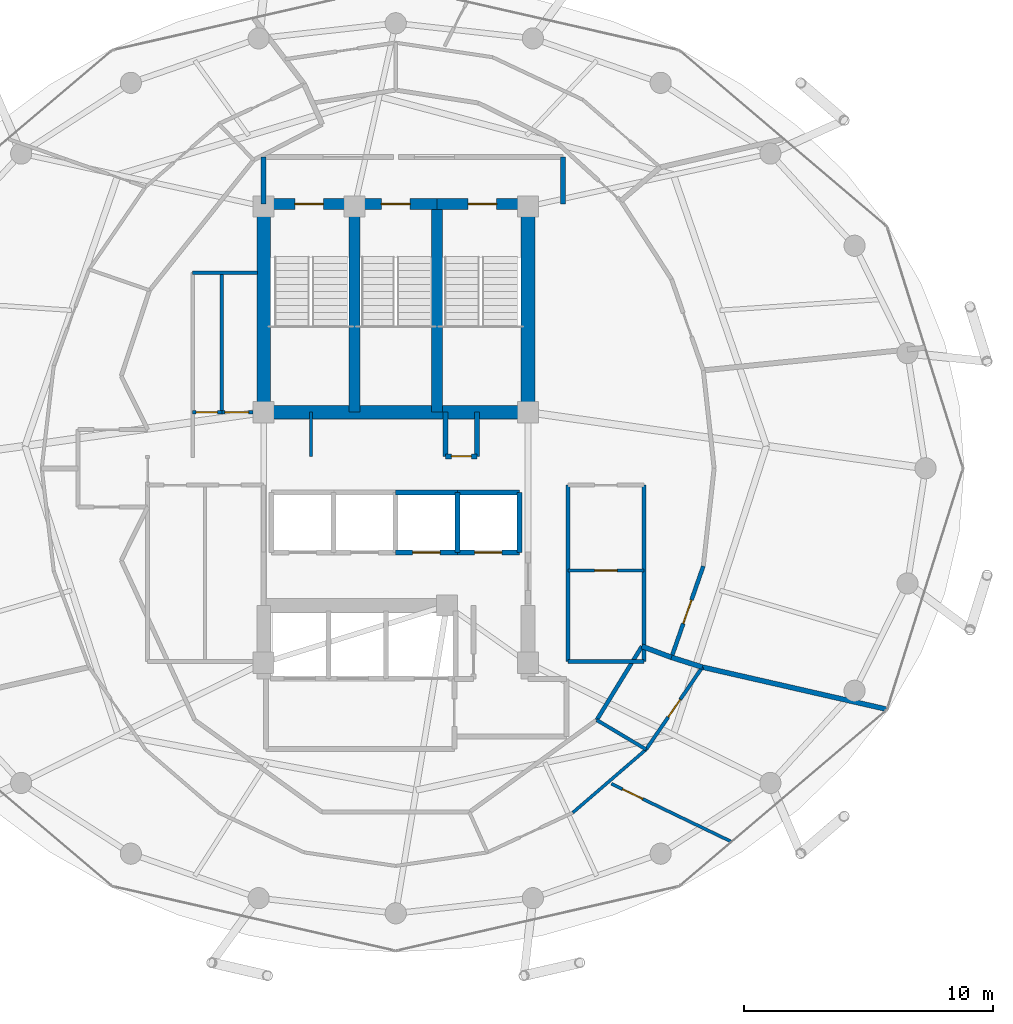
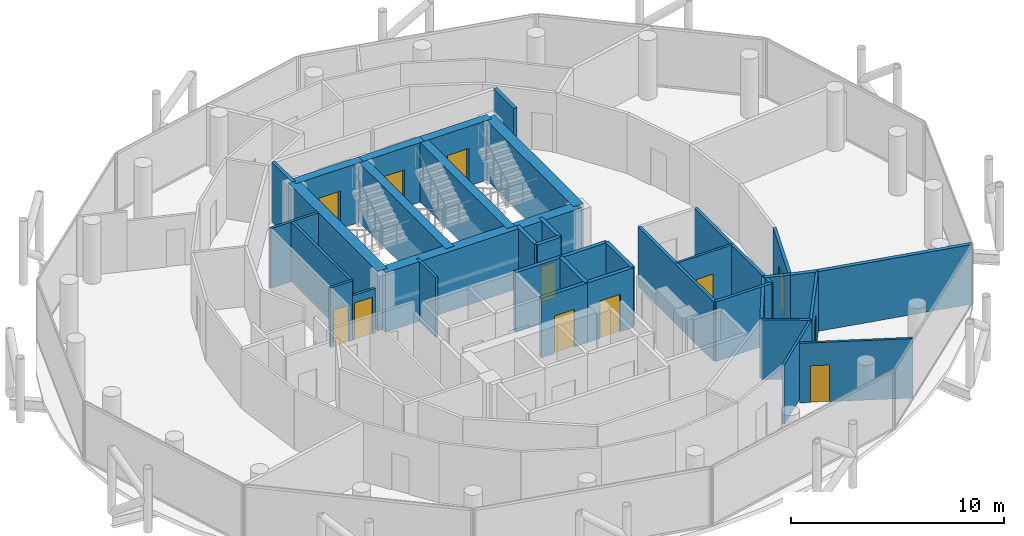
# One storey, part 24 of 27: 37 walls, 12 doors, 12 openings.
"""IFC4 building model written with IfcOpenShell, lengths in metres."""

from ifc_helpers import new_model, si_unit, direction, frame, frame_2d, origin, place, context, subcontext, project, spatial, rectangle, extrude, material, layer, layer_set, type_object, element, fill, save


model = new_model("IFC4")

# Units and contexts
model_context = context("Model", 3, precision=1e-05, world=origin(), true_north=direction((0.0, 1.0)))
body_context = subcontext(model_context, "Body", "Model", "MODEL_VIEW")
ifc_project = project(units=[si_unit("LENGTHUNIT", "METRE"), si_unit("AREAUNIT", "SQUARE_METRE"), si_unit("VOLUMEUNIT", "CUBIC_METRE"), si_unit("PLANEANGLEUNIT", "RADIAN"), si_unit("MASSUNIT", "GRAM", prefix="KILO")], contexts=[model_context])

# Site, building, storey
site_placement = place(None, origin())
site = spatial("IfcSite", under=ifc_project, at=site_placement, CompositionType="ELEMENT")
building_placement = place(site_placement, origin())
building = spatial("IfcBuilding", under=site, at=building_placement, Name="Nuhasar Tower", CompositionType="ELEMENT")
storey_placement = place(building_placement, frame((0.0, 0.0, 211.800048828125)))
storey = spatial("IfcBuildingStorey", under=building, at=storey_placement, Name="L51", CompositionType="ELEMENT", Elevation=211.800048828125)

# Wall, opening, door
ifc_material_1 = material(Name="Concrete C50/60", Category="concrete")
ifc_layer_1 = layer(ifc_material_1, 0.449951171875)
ifc_layer_set_1 = layer_set([ifc_layer_1], Name="Concrete C50/60")
wall_type_1 = type_object("IfcWallType", Name="WL-CORE-450", PredefinedType="SHEAR", material=ifc_layer_set_1)
wall_1_placement = place(storey_placement, frame((37.35009765625, 37.39990234375, 0.0), z_axis=(0.0, 0.0, 1.0), x_axis=(-1.0, 0.0, 0.0)))
wall_1 = element("IfcWall", 1, at=wall_1_placement, inside=storey, type_object=wall_type_1, Name="L51 Stairwell Shear Wall ST01-N", PredefinedType="SHEAR", context=body_context, shape_type="SweptSolid", body=[
    extrude(rectangle(XDim=3.650146484375, YDim=0.449951171875, at=frame_2d((1.8251953125, 0.0))), origin(), (0.0, 0.0, 1.0), 3.409912109375),
])
opening_1_placement = place(wall_1_placement, frame((1.25, 0.0, 0.0)))
opening_1 = element("IfcOpeningElement", 2, at=opening_1_placement, cuts=wall_1, Name="Opening DS-01", PredefinedType="OPENING", context=body_context, shape_type="SweptSolid", body=[
    extrude(rectangle(XDim=1.14990234375, YDim=2.14990234375, at=frame_2d((0.574951171875, 1.074951171875))), frame((0.0, 0.23486328125, 0.0), z_axis=(0.0, -1.0, 0.0), x_axis=(1.0, 0.0, 0.0)), (0.0, 0.0, 1.0), 0.469970703125),
])
ifc_material_2 = material(Name="Steel S355", Category="steel")
door_type_1 = type_object("IfcDoorType", Name="DR-STAIR-FD120-1150", OperationType="NOTDEFINED", PredefinedType="DOOR", material=ifc_material_2)
door_1_placement = place(opening_1_placement, origin())
door_1 = element("IfcDoor", 3, at=door_1_placement, inside=storey, type_object=door_type_1, Name="L51 Exit Stair ST-01 Door", OperationType="SINGLE_SWING_RIGHT", OverallHeight=2.14990234375, OverallWidth=1.14990234375, PredefinedType="DOOR", context=body_context, shape_type="SweptSolid", body=[
    extrude(rectangle(XDim=1.14990234375, YDim=2.14990234375, at=frame_2d((0.574951171875, 1.074951171875))), frame((0.0, 0.02490234375, 0.0), z_axis=(0.0, -1.0, 0.0), x_axis=(1.0, 0.0, 0.0)), (0.0, 0.0, 1.0), 0.050048828125),
])
fill(opening_1, door_1)

# Wall
wall_2_placement = place(storey_placement, frame((37.35009765625, 29.050048828125, 0.0), z_axis=(0.0, 0.0, 1.0), x_axis=(0.0, 1.0, 0.0)))
element("IfcWall", 4, at=wall_2_placement, inside=storey, type_object=wall_type_1, Name="L51 Stairwell Shear Wall ST01-E", PredefinedType="SHEAR", context=body_context, shape_type="SweptSolid", body=[
    extrude(rectangle(XDim=8.349853515625, YDim=0.449951171875, at=frame_2d((4.1748046875, 0.0))), origin(), (0.0, 0.0, 1.0), 3.409912109375),
])

# Wall, opening, door
wall_3_placement = place(storey_placement, frame((40.64990234375, 37.39990234375, 0.0), z_axis=(0.0, 0.0, 1.0), x_axis=(-1.0, 0.0, 0.0)))
wall_3 = element("IfcWall", 5, at=wall_3_placement, inside=storey, type_object=wall_type_1, Name="L51 Stairwell Shear Wall ST03-N", PredefinedType="SHEAR", context=body_context, shape_type="SweptSolid", body=[
    extrude(rectangle(XDim=3.2998046875, YDim=0.449951171875, at=frame_2d((1.64990234375, 0.0))), origin(), (0.0, 0.0, 1.0), 3.409912109375),
])
opening_2_placement = place(wall_3_placement, frame((1.074951171875, 0.0, 0.0)))
opening_2 = element("IfcOpeningElement", 6, at=opening_2_placement, cuts=wall_3, Name="Opening DS-01", PredefinedType="OPENING", context=body_context, shape_type="SweptSolid", body=[
    extrude(rectangle(XDim=1.14990234375, YDim=2.14990234375, at=frame_2d((0.574951171875, 1.074951171875))), frame((0.0, 0.23486328125, 0.0), z_axis=(0.0, -1.0, 0.0), x_axis=(1.0, 0.0, 0.0)), (0.0, 0.0, 1.0), 0.469970703125),
])
door_2_placement = place(opening_2_placement, origin())
door_2 = element("IfcDoor", 7, at=door_2_placement, inside=storey, type_object=door_type_1, Name="L51 Exit Stair ST-03 Door", OperationType="SINGLE_SWING_RIGHT", OverallHeight=2.14990234375, OverallWidth=1.14990234375, PredefinedType="DOOR", context=body_context, shape_type="SweptSolid", body=[
    extrude(rectangle(XDim=1.14990234375, YDim=2.14990234375, at=frame_2d((0.574951171875, 1.074951171875))), frame((0.0, 0.02490234375, 0.0), z_axis=(0.0, -1.0, 0.0), x_axis=(1.0, 0.0, 0.0)), (0.0, 0.0, 1.0), 0.050048828125),
])
fill(opening_2, door_2)

# Wall
wall_4_placement = place(storey_placement, frame((40.64990234375, 29.050048828125, 0.0), z_axis=(0.0, 0.0, 1.0), x_axis=(0.0, 1.0, 0.0)))
element("IfcWall", 8, at=wall_4_placement, inside=storey, type_object=wall_type_1, Name="L51 Stairwell Shear Wall ST03-E", PredefinedType="SHEAR", context=body_context, shape_type="SweptSolid", body=[
    extrude(rectangle(XDim=8.349853515625, YDim=0.449951171875, at=frame_2d((4.1748046875, 0.0))), origin(), (0.0, 0.0, 1.0), 3.409912109375),
])

# Wall, opening, door
wall_5_placement = place(storey_placement, frame((44.300048828125, 37.39990234375, 0.0), z_axis=(0.0, 0.0, 1.0), x_axis=(-1.0, 0.0, 0.0)))
wall_5 = element("IfcWall", 9, at=wall_5_placement, inside=storey, type_object=wall_type_1, Name="L51 Stairwell Shear Wall ST02-N", PredefinedType="SHEAR", context=body_context, shape_type="SweptSolid", body=[
    extrude(rectangle(XDim=3.650146484375, YDim=0.449951171875, at=frame_2d((1.8251953125, 0.0))), origin(), (0.0, 0.0, 1.0), 3.409912109375),
])
opening_3_placement = place(wall_5_placement, frame((1.25, 0.0, 0.0)))
opening_3 = element("IfcOpeningElement", 10, at=opening_3_placement, cuts=wall_5, Name="Opening DS-01", PredefinedType="OPENING", context=body_context, shape_type="SweptSolid", body=[
    extrude(rectangle(XDim=1.14990234375, YDim=2.14990234375, at=frame_2d((0.574951171875, 1.074951171875))), frame((0.0, 0.23486328125, 0.0), z_axis=(0.0, -1.0, 0.0), x_axis=(1.0, 0.0, 0.0)), (0.0, 0.0, 1.0), 0.469970703125),
])
door_3_placement = place(opening_3_placement, origin())
door_3 = element("IfcDoor", 11, at=door_3_placement, inside=storey, type_object=door_type_1, Name="L51 Exit Stair ST-02 Door", OperationType="SINGLE_SWING_LEFT", OverallHeight=2.14990234375, OverallWidth=1.14990234375, PredefinedType="DOOR", context=body_context, shape_type="SweptSolid", body=[
    extrude(rectangle(XDim=1.14990234375, YDim=2.14990234375, at=frame_2d((0.574951171875, 1.074951171875))), frame((0.0, 0.02490234375, 0.0), z_axis=(0.0, -1.0, 0.0), x_axis=(1.0, 0.0, 0.0)), (0.0, 0.0, 1.0), 0.050048828125),
])
fill(opening_3, door_3)

# Walls
ifc_material_3 = material(Name="Concrete C55/67", Category="concrete")
ifc_layer_2 = layer(ifc_material_3, 0.550048828125)
ifc_layer_set_2 = layer_set([ifc_layer_2], Name="Concrete C55/67")
wall_type_2 = type_object("IfcWallType", Name="WL-CORE-550", PredefinedType="SHEAR", material=ifc_layer_set_2)
for number, where, z_axis, x_axis, name in (
    (12, (33.699951171875, 29.050048828125, 0.0), (0.0, 0.0, 1.0), (0.0, 1.0, 0.0), "L51 Core Shear Wall CW-NW CW-550"),
    (13, (44.300048828125, 29.050048828125, 0.0), (0.0, 0.0, 1.0), (0.0, 1.0, 0.0), "L51 Core Shear Wall CW-NE CW-550"),
):
    element("IfcWall", number, at=place(storey_placement, frame(where, z_axis=z_axis, x_axis=x_axis)), inside=storey, type_object=wall_type_2, Name=name, PredefinedType="SHEAR", context=body_context, shape_type="SweptSolid", body=[
        extrude(rectangle(XDim=8.349853515625, YDim=0.550048828125, at=frame_2d((4.1748046875, 0.0))), origin(), (0.0, 0.0, 1.0), 3.409912109375),
    ])
wall_6_placement = place(storey_placement, frame((33.699951171875, 29.050048828125, 0.0), z_axis=(0.0, 0.0, 1.0), x_axis=(1.0, 0.0, 0.0)))
element("IfcWall", 14, at=wall_6_placement, inside=storey, type_object=wall_type_2, Name="L51 Core Shear Wall CW-N1 CW-550", PredefinedType="SHEAR", context=body_context, shape_type="SweptSolid", body=[
    extrude(rectangle(XDim=10.60009765625, YDim=0.550048828125, at=frame_2d((5.300048828125, 0.0))), origin(), (0.0, 0.0, 1.0), 3.409912109375),
])
ifc_material_4 = material(Name="Gypsum Board", Category="gypsum")
ifc_layer_3 = layer(ifc_material_4, 0.159912109375)
ifc_layer_set_3 = layer_set([ifc_layer_3], Name="Gypsum Board")
wall_type_3 = type_object("IfcWallType", Name="WL-CORR-160", PredefinedType="PARTITIONING", material=ifc_layer_set_3)
wall_7_placement = place(storey_placement, frame((45.89990234375, 19.050048828125, 0.0), z_axis=(0.0, 0.0, 1.0), x_axis=(1.0, 0.0, 0.0)))
element("IfcWall", 15, at=wall_7_placement, inside=storey, type_object=wall_type_3, Name="L51 Interior Partition RECL-B2-S", PredefinedType="PARTITIONING", context=body_context, shape_type="SweptSolid", body=[
    extrude(rectangle(XDim=3.050048828125, YDim=0.159912109375, at=frame_2d((1.52490234375, 0.0))), origin(), (0.0, 0.0, 1.0), 3.409912109375),
])
for number, where, z_axis, x_axis, name in (
    (16, (48.949951171875, 19.050048828125, 0.0), (0.0, 0.0, 1.0), (0.0, 1.0, 0.0), "L51 Interior Partition RECL-B2-E"),
    (17, (45.89990234375, 19.050048828125, 0.0), (0.0, 0.0, 1.0), (0.0, 1.0, 0.0), "L51 Interior Partition RECL-B2-W"),
):
    element("IfcWall", number, at=place(storey_placement, frame(where, z_axis=z_axis, x_axis=x_axis)), inside=storey, type_object=wall_type_3, Name=name, PredefinedType="PARTITIONING", context=body_context, shape_type="SweptSolid", body=[
        extrude(rectangle(XDim=7.070068359375, YDim=0.159912109375, at=frame_2d((3.53515625, 0.0))), origin(), (0.0, 0.0, 1.0), 3.409912109375),
    ])

# Wall, opening, door
wall_8_placement = place(storey_placement, frame((51.3349609375, 22.8740234375, 0.0), z_axis=(0.0, 0.0, 1.0), x_axis=(-0.32925850992, -0.944239817867, 0.0)))
wall_8 = element("IfcWall", 18, at=wall_8_placement, inside=storey, type_object=wall_type_3, Name="L51 Interior Partition CORR-44", PredefinedType="PARTITIONING", context=body_context, shape_type="SweptSolid", body=[
    extrude(rectangle(XDim=3.875, YDim=0.159912109375, at=frame_2d((1.9375, 0.0))), origin(), (0.0, 0.0, 1.0), 3.409912109375),
])
opening_4_placement = place(wall_8_placement, frame((1.43798828125, 0.0, 0.0)))
opening_4 = element("IfcOpeningElement", 19, at=opening_4_placement, cuts=wall_8, Name="Opening DU-02", PredefinedType="OPENING", context=body_context, shape_type="SweptSolid", body=[
    extrude(rectangle(XDim=1.0, YDim=2.14990234375, at=frame_2d((0.5, 1.074951171875))), frame((0.0, 0.08984375, 0.0), z_axis=(0.0, -1.0, 0.0), x_axis=(1.0, 0.0, 0.0)), (0.0, 0.0, 1.0), 0.179931640625),
])
ifc_material_5 = material(Name="Timber Oak", Category="wood")
door_type_2 = type_object("IfcDoorType", Name="DR-FLAT-FD60-1000", OperationType="NOTDEFINED", PredefinedType="DOOR", material=ifc_material_5)
door_4_placement = place(opening_4_placement, origin())
door_4 = element("IfcDoor", 20, at=door_4_placement, inside=storey, type_object=door_type_2, Name="L51 Sky Fitness Gym Entrance Door", OperationType="SINGLE_SWING_RIGHT", OverallHeight=2.14990234375, OverallWidth=1.0, PredefinedType="DOOR", context=body_context, shape_type="SweptSolid", body=[
    extrude(rectangle(XDim=1.0, YDim=2.14990234375, at=frame_2d((0.5, 1.074951171875))), frame((0.0, 0.02490234375, 0.0), z_axis=(0.0, -1.0, 0.0), x_axis=(1.0, 0.0, 0.0)), (0.0, 0.0, 1.0), 0.050048828125),
])
fill(opening_4, door_4)

# Walls
wall_9_placement = place(storey_placement, frame((47.06103515625, 16.702880859375, 0.0), z_axis=(0.0, 0.0, 1.0), x_axis=(0.522486120877, 0.852647789823, 0.0)))
element("IfcWall", 21, at=wall_9_placement, inside=storey, type_object=wall_type_3, Name="L51 Interior Partition UWEST-CORE-S2-42", PredefinedType="PARTITIONING", context=body_context, shape_type="SweptSolid", body=[
    extrude(rectangle(XDim=3.468017578125, YDim=0.159912109375, at=frame_2d((1.73388671875, 0.0))), origin(), (0.0, 0.0, 1.0), 3.409912109375),
])
ifc_material_6 = material(Name="Concrete C45/55", Category="concrete")
ifc_layer_4 = layer(ifc_material_6, 0.199951171875)
ifc_layer_set_4 = layer_set([ifc_layer_4], Name="Concrete C45/55")
wall_type_4 = type_object("IfcWallType", Name="WL-LOBBY-200", PredefinedType="SOLIDWALL", material=ifc_layer_set_4)
for number, where, z_axis, x_axis, name in (
    (22, (33.699951171875, 37.39990234375, 0.0), (0.0, 0.0, 1.0), (0.0, 1.0, 0.0), "L51 Interior Partition NSL-W"),
    (23, (45.699951171875, 37.39990234375, 0.0), (0.0, 0.0, 1.0), (0.0, 1.0, 0.0), "L51 Interior Partition NSL-E"),
):
    element("IfcWall", number, at=place(storey_placement, frame(where, z_axis=z_axis, x_axis=x_axis)), inside=storey, type_object=wall_type_4, Name=name, PredefinedType="SOLIDWALL", context=body_context, shape_type="SweptSolid", body=[
        extrude(rectangle(XDim=1.880126953125, YDim=0.199951171875, at=frame_2d((0.93994140625, 0.0))), origin(), (0.0, 0.0, 1.0), 3.409912109375),
    ])

# Wall, opening, door
ifc_layer_5 = layer(ifc_material_4, 0.125)
ifc_layer_set_5 = layer_set([ifc_layer_5], Name="Gypsum Board")
wall_type_5 = type_object("IfcWallType", Name="WL-PART-125", PredefinedType="PARTITIONING", material=ifc_layer_set_5)
wall_10_placement = place(storey_placement, frame((48.949951171875, 22.699951171875, 0.0), z_axis=(0.0, 0.0, 1.0), x_axis=(-1.0, 0.0, 0.0)))
wall_10 = element("IfcWall", 24, at=wall_10_placement, inside=storey, type_object=wall_type_5, Name="L51 Interior Partition RECL-B2-M", PredefinedType="PARTITIONING", context=body_context, shape_type="SweptSolid", body=[
    extrude(rectangle(XDim=3.050048828125, YDim=0.125, at=frame_2d((1.52490234375, 0.0))), origin(), (0.0, 0.0, 1.0), 3.409912109375),
])
opening_5_placement = place(wall_10_placement, frame((1.074951171875, 0.0, 0.0)))
opening_5 = element("IfcOpeningElement", 25, at=opening_5_placement, cuts=wall_10, Name="Opening DR-01", PredefinedType="OPENING", context=body_context, shape_type="SweptSolid", body=[
    extrude(rectangle(XDim=0.89990234375, YDim=2.10009765625, at=frame_2d((0.449951171875, 1.050048828125))), frame((0.0, 0.072509765625, 0.0), z_axis=(0.0, -1.0, 0.0), x_axis=(1.0, 0.0, 0.0)), (0.0, 0.0, 1.0), 0.14501953125),
])
door_type_3 = type_object("IfcDoorType", Name="DR-ROOM-900", OperationType="NOTDEFINED", PredefinedType="DOOR", material=ifc_material_5)
door_5_placement = place(opening_5_placement, origin())
door_5 = element("IfcDoor", 26, at=door_5_placement, inside=storey, type_object=door_type_3, Name="L51 Inner Vault Door", OperationType="SINGLE_SWING_RIGHT", OverallHeight=2.10009765625, OverallWidth=0.89990234375, PredefinedType="DOOR", context=body_context, shape_type="SweptSolid", body=[
    extrude(rectangle(XDim=0.89990234375, YDim=2.10009765625, at=frame_2d((0.449951171875, 1.050048828125))), frame((0.0, 0.02490234375, 0.0), z_axis=(0.0, -1.0, 0.0), x_axis=(1.0, 0.0, 0.0)), (0.0, 0.0, 1.0), 0.050048828125),
])
fill(opening_5, door_5)

# Wall
wall_11_placement = place(storey_placement, frame((46.10009765625, 12.987060546875, 0.0), z_axis=(0.0, 0.0, 1.0), x_axis=(0.757456069071, 0.652886133585, 0.0)))
element("IfcWall", 27, at=wall_11_placement, inside=storey, type_object=wall_type_5, Name="L51 Interior Partition USM-2-K-40", PredefinedType="PARTITIONING", context=body_context, shape_type="SweptSolid", body=[
    extrude(rectangle(XDim=3.882568359375, YDim=0.125, at=frame_2d((1.94140625, 0.0))), origin(), (0.0, 0.0, 1.0), 3.409912109375),
])

# Wall, opening, door
wall_12_placement = place(storey_placement, frame((47.64404296875, 14.14599609375, 0.0), z_axis=(0.0, 0.0, 1.0), x_axis=(0.900716165112, -0.434408091437, 0.0)))
wall_12 = element("IfcWall", 28, at=wall_12_placement, inside=storey, type_object=wall_type_5, Name="L51 Interior Partition USO-2-BD", PredefinedType="PARTITIONING", context=body_context, shape_type="SweptSolid", body=[
    extrude(rectangle(XDim=5.32666015625, YDim=0.125, at=frame_2d((2.663330078125, 0.0))), origin(), (0.0, 0.0, 1.0), 3.409912109375),
])
opening_6_placement = place(wall_12_placement, frame((0.501953125, 0.0, 0.0)))
opening_6 = element("IfcOpeningElement", 29, at=opening_6_placement, cuts=wall_12, Name="Opening DR-01", PredefinedType="OPENING", context=body_context, shape_type="SweptSolid", body=[
    extrude(rectangle(XDim=0.89990234375, YDim=2.10009765625, at=frame_2d((0.449951171875, 1.050048828125))), frame((0.0, 0.072509765625, 0.0), z_axis=(0.0, -1.0, 0.0), x_axis=(1.0, 0.0, 0.0)), (0.0, 0.0, 1.0), 0.14501953125),
])
door_6_placement = place(opening_6_placement, origin())
door_6 = element("IfcDoor", 30, at=door_6_placement, inside=storey, type_object=door_type_3, Name="L51 South-West Sky Home Master Bedroom Door", OperationType="SINGLE_SWING_LEFT", OverallHeight=2.10009765625, OverallWidth=0.89990234375, PredefinedType="DOOR", context=body_context, shape_type="SweptSolid", body=[
    extrude(rectangle(XDim=0.89990234375, YDim=2.10009765625, at=frame_2d((0.449951171875, 1.050048828125))), frame((0.0, 0.02490234375, 0.0), z_axis=(0.0, -1.0, 0.0), x_axis=(1.0, 0.0, 0.0)), (0.0, 0.0, 1.0), 0.050048828125),
])
fill(opening_6, door_6)

# Walls
ifc_layer_6 = layer(ifc_material_6, 0.199951171875)
ifc_layer_set_6 = layer_set([ifc_layer_6], Name="Concrete C45/55")
wall_type_6 = type_object("IfcWallType", Name="WL-SHAFT-200", PredefinedType="SOLIDWALL", material=ifc_layer_set_6)
for number, where, z_axis, x_axis, name in (
    (31, (41.0, 27.280029296875, 0.0), (0.0, 0.0, 1.0), (0.0, 1.0, 0.0), "L51 Interior Partition RSRN-W"),
    (32, (42.260009765625, 27.280029296875, 0.0), (0.0, 0.0, 1.0), (0.0, 1.0, 0.0), "L51 Interior Partition RSRN-E"),
):
    element("IfcWall", number, at=place(storey_placement, frame(where, z_axis=z_axis, x_axis=x_axis)), inside=storey, type_object=wall_type_6, Name=name, PredefinedType="SOLIDWALL", context=body_context, shape_type="SweptSolid", body=[
        extrude(rectangle(XDim=1.77001953125, YDim=0.199951171875, at=frame_2d((0.885009765625, 0.0))), origin(), (0.0, 0.0, 1.0), 3.409912109375),
    ])

# Wall, opening, door
wall_13_placement = place(storey_placement, frame((41.0, 27.280029296875, 0.0), z_axis=(0.0, 0.0, 1.0), x_axis=(1.0, 0.0, 0.0)))
wall_13 = element("IfcWall", 33, at=wall_13_placement, inside=storey, type_object=wall_type_6, Name="L51 Interior Partition RSRN-S", PredefinedType="SOLIDWALL", context=body_context, shape_type="SweptSolid", body=[
    extrude(rectangle(XDim=1.260009765625, YDim=0.199951171875, at=frame_2d((0.6298828125, 0.0))), origin(), (0.0, 0.0, 1.0), 3.409912109375),
])
opening_7_placement = place(wall_13_placement, frame((0.22998046875, 0.0, 0.0)))
opening_7 = element("IfcOpeningElement", 34, at=opening_7_placement, cuts=wall_13, Name="Opening DM-01", PredefinedType="OPENING", context=body_context, shape_type="SweptSolid", body=[
    extrude(rectangle(XDim=0.800048828125, YDim=2.050048828125, at=frame_2d((0.39990234375, 1.02490234375))), frame((0.0, 0.10986328125, 0.0), z_axis=(0.0, -1.0, 0.0), x_axis=(1.0, 0.0, 0.0)), (0.0, 0.0, 1.0), 0.219970703125),
])
door_type_4 = type_object("IfcDoorType", Name="DR-RISER-FD60-800", OperationType="NOTDEFINED", PredefinedType="DOOR", material=ifc_material_2)
door_7_placement = place(opening_7_placement, origin())
door_7 = element("IfcDoor", 35, at=door_7_placement, inside=storey, type_object=door_type_4, Name="L51 North Smoke Riser Door", OperationType="SINGLE_SWING_RIGHT", OverallHeight=2.050048828125, OverallWidth=0.800048828125, PredefinedType="DOOR", context=body_context, shape_type="SweptSolid", body=[
    extrude(rectangle(XDim=0.800048828125, YDim=2.050048828125, at=frame_2d((0.39990234375, 1.02490234375))), frame((0.0, 0.02490234375, 0.0), z_axis=(0.0, -1.0, 0.0), x_axis=(1.0, 0.0, 0.0)), (0.0, 0.0, 1.0), 0.050048828125),
])
fill(opening_7, door_7)

wall_14_placement = place(storey_placement, frame((38.97998046875, 23.419921875, 0.0), z_axis=(0.0, 0.0, 1.0), x_axis=(1.0, 0.0, 0.0)))
wall_14 = element("IfcWall", 36, at=wall_14_placement, inside=storey, type_object=wall_type_6, Name="L51 Interior Partition SHF-PL-H03-S", PredefinedType="SOLIDWALL", context=body_context, shape_type="SweptSolid", body=[
    extrude(rectangle(XDim=2.5, YDim=0.199951171875, at=frame_2d((1.25, 0.0))), origin(), (0.0, 0.0, 1.0), 3.409912109375),
])
opening_8_placement = place(wall_14_placement, frame((0.699951171875, 0.0, 0.0)))
opening_8 = element("IfcOpeningElement", 37, at=opening_8_placement, cuts=wall_14, Name="Opening LD-H03", PredefinedType="OPENING", context=body_context, shape_type="SweptSolid", body=[
    extrude(rectangle(XDim=1.10009765625, YDim=2.14990234375, at=frame_2d((0.550048828125, 1.074951171875))), frame((0.0, 0.10986328125, 0.0), z_axis=(0.0, -1.0, 0.0), x_axis=(1.0, 0.0, 0.0)), (0.0, 0.0, 1.0), 0.219970703125),
])
ifc_material_7 = material(Name="Stainless Steel 316L", Category="steel")
door_type_5 = type_object("IfcDoorType", Name="LD-PAX-1100", OperationType="DOUBLE_DOOR_SLIDING", PredefinedType="DOOR", material=ifc_material_7)
door_8_placement = place(opening_8_placement, origin())
door_8 = element("IfcDoor", 38, at=door_8_placement, inside=storey, type_object=door_type_5, Name="L51 Lift Landing Door PL-H03", OperationType="DOUBLE_DOOR_SLIDING", OverallHeight=2.14990234375, OverallWidth=1.10009765625, PredefinedType="DOOR", context=body_context, shape_type="SweptSolid", body=[
    extrude(rectangle(XDim=1.10009765625, YDim=2.14990234375, at=frame_2d((0.550048828125, 1.074951171875))), frame((0.0, 0.02490234375, 0.0), z_axis=(0.0, -1.0, 0.0), x_axis=(1.0, 0.0, 0.0)), (0.0, 0.0, 1.0), 0.050048828125),
])
fill(opening_8, door_8)

# Walls
wall_15_placement = place(storey_placement, frame((38.97998046875, 25.830078125, 0.0), z_axis=(0.0, 0.0, 1.0), x_axis=(1.0, 0.0, 0.0)))
element("IfcWall", 39, at=wall_15_placement, inside=storey, type_object=wall_type_6, Name="L51 Interior Partition SHF-PL-H03-N", PredefinedType="SOLIDWALL", context=body_context, shape_type="SweptSolid", body=[
    extrude(rectangle(XDim=2.5, YDim=0.199951171875, at=frame_2d((1.25, 0.0))), origin(), (0.0, 0.0, 1.0), 3.409912109375),
])
wall_16_placement = place(storey_placement, frame((41.469970703125, 23.419921875, 0.0), z_axis=(0.0, 0.0, 1.0), x_axis=(0.0, 1.0, 0.0)))
element("IfcWall", 40, at=wall_16_placement, inside=storey, type_object=wall_type_6, Name="L51 Interior Partition SHF-PL-H03-E", PredefinedType="SOLIDWALL", context=body_context, shape_type="SweptSolid", body=[
    extrude(rectangle(XDim=2.41015625, YDim=0.199951171875, at=frame_2d((1.205078125, 0.0))), origin(), (0.0, 0.0, 1.0), 3.409912109375),
])

# Wall, opening, door
wall_17_placement = place(storey_placement, frame((41.4599609375, 23.419921875, 0.0), z_axis=(0.0, 0.0, 1.0), x_axis=(1.0, 0.0, 0.0)))
wall_17 = element("IfcWall", 41, at=wall_17_placement, inside=storey, type_object=wall_type_6, Name="L51 Interior Partition SHF-PL-H04-S", PredefinedType="SOLIDWALL", context=body_context, shape_type="SweptSolid", body=[
    extrude(rectangle(XDim=2.5, YDim=0.199951171875, at=frame_2d((1.25, 0.0))), origin(), (0.0, 0.0, 1.0), 3.409912109375),
])
opening_9_placement = place(wall_17_placement, frame((0.699951171875, 0.0, 0.0)))
opening_9 = element("IfcOpeningElement", 42, at=opening_9_placement, cuts=wall_17, Name="Opening LD-H04", PredefinedType="OPENING", context=body_context, shape_type="SweptSolid", body=[
    extrude(rectangle(XDim=1.10009765625, YDim=2.14990234375, at=frame_2d((0.550048828125, 1.074951171875))), frame((0.0, 0.10986328125, 0.0), z_axis=(0.0, -1.0, 0.0), x_axis=(1.0, 0.0, 0.0)), (0.0, 0.0, 1.0), 0.219970703125),
])
door_9_placement = place(opening_9_placement, origin())
door_9 = element("IfcDoor", 43, at=door_9_placement, inside=storey, type_object=door_type_5, Name="L51 Lift Landing Door PL-H04", OperationType="DOUBLE_DOOR_SLIDING", OverallHeight=2.14990234375, OverallWidth=1.10009765625, PredefinedType="DOOR", context=body_context, shape_type="SweptSolid", body=[
    extrude(rectangle(XDim=1.10009765625, YDim=2.14990234375, at=frame_2d((0.550048828125, 1.074951171875))), frame((0.0, 0.02490234375, 0.0), z_axis=(0.0, -1.0, 0.0), x_axis=(1.0, 0.0, 0.0)), (0.0, 0.0, 1.0), 0.050048828125),
])
fill(opening_9, door_9)

# Walls
wall_18_placement = place(storey_placement, frame((41.4599609375, 25.830078125, 0.0), z_axis=(0.0, 0.0, 1.0), x_axis=(1.0, 0.0, 0.0)))
element("IfcWall", 44, at=wall_18_placement, inside=storey, type_object=wall_type_6, Name="L51 Interior Partition SHF-PL-H04-N", PredefinedType="SOLIDWALL", context=body_context, shape_type="SweptSolid", body=[
    extrude(rectangle(XDim=2.5, YDim=0.199951171875, at=frame_2d((1.25, 0.0))), origin(), (0.0, 0.0, 1.0), 3.409912109375),
])
wall_19_placement = place(storey_placement, frame((43.9599609375, 23.419921875, 0.0), z_axis=(0.0, 0.0, 1.0), x_axis=(0.0, 1.0, 0.0)))
element("IfcWall", 45, at=wall_19_placement, inside=storey, type_object=wall_type_6, Name="L51 Interior Partition SHF-PL-H04-E", PredefinedType="SOLIDWALL", context=body_context, shape_type="SweptSolid", body=[
    extrude(rectangle(XDim=2.41015625, YDim=0.199951171875, at=frame_2d((1.205078125, 0.0))), origin(), (0.0, 0.0, 1.0), 3.409912109375),
])
ifc_material_8 = material(Name="Concrete C40/50 precast", Category="concrete")
ifc_layer_7 = layer(ifc_material_8, 0.199951171875)
ifc_layer_set_7 = layer_set([ifc_layer_7], Name="Concrete C40/50 precast")
wall_type_7 = type_object("IfcWallType", Name="WL-UNIT-200", PredefinedType="PARTITIONING", material=ifc_layer_set_7)
wall_20_placement = place(storey_placement, frame((48.873046875, 19.659912109375, 0.0), z_axis=(0.0, 0.0, 1.0), x_axis=(0.93631333527, -0.351165684821, 0.0)))
element("IfcWall", 46, at=wall_20_placement, inside=storey, type_object=wall_type_7, Name="L51 Interior Partition URAD-44-SW-S1", PredefinedType="PARTITIONING", context=body_context, shape_type="SweptSolid", body=[
    extrude(rectangle(XDim=1.2666015625, YDim=0.199951171875, at=frame_2d((0.63330078125, 0.0))), origin(), (0.0, 0.0, 1.0), 3.409912109375),
])
wall_21_placement = place(storey_placement, frame((50.05908203125, 19.215087890625, 0.0), z_axis=(0.0, 0.0, 1.0), x_axis=(0.953832301714, -0.300339708008, 0.0)))
element("IfcWall", 47, at=wall_21_placement, inside=storey, type_object=wall_type_7, Name="L51 Interior Partition URAD-44-SW-S2", PredefinedType="PARTITIONING", context=body_context, shape_type="SweptSolid", body=[
    extrude(rectangle(XDim=1.299072265625, YDim=0.199951171875, at=frame_2d((0.6494140625, 0.0))), origin(), (0.0, 0.0, 1.0), 3.409912109375),
])
wall_22_placement = place(storey_placement, frame((51.298095703125, 18.824951171875, 0.0), z_axis=(0.0, 0.0, 1.0), x_axis=(0.97483809237, -0.222914094809, 0.0)))
element("IfcWall", 48, at=wall_22_placement, inside=storey, type_object=wall_type_7, Name="L51 Interior Partition URAD-44-SW-S3", PredefinedType="PARTITIONING", context=body_context, shape_type="SweptSolid", body=[
    extrude(rectangle(XDim=7.572265625, YDim=0.199951171875, at=frame_2d((3.7861328125, 0.0))), origin(), (0.0, 0.0, 1.0), 3.409912109375),
])
ifc_layer_8 = layer(ifc_material_8, 0.139892578125)
ifc_layer_set_8 = layer_set([ifc_layer_8], Name="Concrete C40/50 precast")
wall_type_8 = type_object("IfcWallType", Name="WL-WET-140", PredefinedType="PARTITIONING", material=ifc_layer_set_8)
wall_23_placement = place(storey_placement, frame((35.60009765625, 27.280029296875, 0.0), z_axis=(0.0, 0.0, 1.0), x_axis=(0.0, 1.0, 0.0)))
element("IfcWall", 49, at=wall_23_placement, inside=storey, type_object=wall_type_8, Name="L51 Interior Partition CSVC-W", PredefinedType="PARTITIONING", context=body_context, shape_type="SweptSolid", body=[
    extrude(rectangle(XDim=1.77001953125, YDim=0.139892578125, at=frame_2d((0.885009765625, 0.0))), origin(), (0.0, 0.0, 1.0), 3.409912109375),
])

# Wall, opening, door
wall_24_placement = place(storey_placement, frame((30.85009765625, 29.050048828125, 0.0), z_axis=(0.0, 0.0, 1.0), x_axis=(1.0, 0.0, 0.0)))
wall_24 = element("IfcWall", 50, at=wall_24_placement, inside=storey, type_object=wall_type_8, Name="L51 Interior Partition K2-NW-S", PredefinedType="PARTITIONING", context=body_context, shape_type="SweptSolid", body=[
    extrude(rectangle(XDim=1.179931640625, YDim=0.139892578125, at=frame_2d((0.58984375, 0.0))), origin(), (0.0, 0.0, 1.0), 3.409912109375),
])
opening_10_placement = place(wall_24_placement, frame((0.139892578125, 0.0, 0.0)))
opening_10 = element("IfcOpeningElement", 51, at=opening_10_placement, cuts=wall_24, Name="Opening DB-01", PredefinedType="OPENING", context=body_context, shape_type="SweptSolid", body=[
    extrude(rectangle(XDim=0.85009765625, YDim=2.10009765625, at=frame_2d((0.425048828125, 1.050048828125))), frame((0.0, 0.080078125, 0.0), z_axis=(0.0, -1.0, 0.0), x_axis=(1.0, 0.0, 0.0)), (0.0, 0.0, 1.0), 0.159912109375),
])
door_type_6 = type_object("IfcDoorType", Name="DR-BATH-850", OperationType="NOTDEFINED", PredefinedType="DOOR", material=ifc_material_5)
door_10_placement = place(opening_10_placement, origin())
door_10 = element("IfcDoor", 52, at=door_10_placement, inside=storey, type_object=door_type_6, Name="L51 NW Female WC Door", OperationType="SINGLE_SWING_LEFT", OverallHeight=2.10009765625, OverallWidth=0.85009765625, PredefinedType="DOOR", context=body_context, shape_type="SweptSolid", body=[
    extrude(rectangle(XDim=0.85009765625, YDim=2.10009765625, at=frame_2d((0.425048828125, 1.050048828125))), frame((0.0, 0.02490234375, 0.0), z_axis=(0.0, -1.0, 0.0), x_axis=(1.0, 0.0, 0.0)), (0.0, 0.0, 1.0), 0.050048828125),
])
fill(opening_10, door_10)

wall_25_placement = place(storey_placement, frame((32.030029296875, 29.050048828125, 0.0), z_axis=(0.0, 0.0, 1.0), x_axis=(1.0, 0.0, 0.0)))
wall_25 = element("IfcWall", 53, at=wall_25_placement, inside=storey, type_object=wall_type_8, Name="L51 Interior Partition K2-NW-S", PredefinedType="PARTITIONING", context=body_context, shape_type="SweptSolid", body=[
    extrude(rectangle(XDim=1.25, YDim=0.139892578125, at=frame_2d((0.625, 0.0))), origin(), (0.0, 0.0, 1.0), 2.550048828125),
])
opening_11_placement = place(wall_25_placement, frame((0.1201171875, 0.0, 0.0)))
opening_11 = element("IfcOpeningElement", 54, at=opening_11_placement, cuts=wall_25, Name="Opening DA-01", PredefinedType="OPENING", context=body_context, shape_type="SweptSolid", body=[
    extrude(rectangle(XDim=0.949951171875, YDim=2.10009765625, at=frame_2d((0.47509765625, 1.050048828125))), frame((0.0, 0.080078125, 0.0), z_axis=(0.0, -1.0, 0.0), x_axis=(1.0, 0.0, 0.0)), (0.0, 0.0, 1.0), 0.159912109375),
])
door_type_7 = type_object("IfcDoorType", Name="DR-ACCWC-950", OperationType="NOTDEFINED", PredefinedType="DOOR", material=ifc_material_5)
door_11_placement = place(opening_11_placement, origin())
door_11 = element("IfcDoor", 55, at=door_11_placement, inside=storey, type_object=door_type_7, Name="L51 NW Accessible WC Door", OperationType="SINGLE_SWING_RIGHT", OverallHeight=2.10009765625, OverallWidth=0.949951171875, PredefinedType="DOOR", context=body_context, shape_type="SweptSolid", body=[
    extrude(rectangle(XDim=0.949951171875, YDim=2.10009765625, at=frame_2d((0.47509765625, 1.050048828125))), frame((0.0, 0.02490234375, 0.0), z_axis=(0.0, -1.0, 0.0), x_axis=(1.0, 0.0, 0.0)), (0.0, 0.0, 1.0), 0.050048828125),
])
fill(opening_11, door_11)

# Walls
wall_26_placement = place(storey_placement, frame((32.02001953125, 29.050048828125, 0.0), z_axis=(0.0, 0.0, 1.0), x_axis=(0.0, 1.0, 0.0)))
element("IfcWall", 56, at=wall_26_placement, inside=storey, type_object=wall_type_8, Name="L51 Interior Partition K2-NW-V", PredefinedType="PARTITIONING", context=body_context, shape_type="SweptSolid", body=[
    extrude(rectangle(XDim=5.599853515625, YDim=0.139892578125, at=frame_2d((2.7998046875, 0.0))), origin(), (0.0, 0.0, 1.0), 3.409912109375),
])
wall_27_placement = place(storey_placement, frame((30.85009765625, 34.64990234375, 0.0), z_axis=(0.0, 0.0, 1.0), x_axis=(1.0, 0.0, 0.0)))
element("IfcWall", 57, at=wall_27_placement, inside=storey, type_object=wall_type_8, Name="L51 Interior Partition K2-NW-N", PredefinedType="PARTITIONING", context=body_context, shape_type="SweptSolid", body=[
    extrude(rectangle(XDim=2.599853515625, YDim=0.139892578125, at=frame_2d((1.2998046875, 0.0))), origin(), (0.0, 0.0, 1.0), 3.409912109375),
])

# Wall, opening, door
wall_28_placement = place(storey_placement, frame((51.298095703125, 18.824951171875, 0.0), z_axis=(0.0, 0.0, 1.0), x_axis=(-0.56419813198, -0.825639429697, 0.0)))
wall_28 = element("IfcWall", 58, at=wall_28_placement, inside=storey, type_object=wall_type_8, Name="L51 Interior Partition USM-2-B-42", PredefinedType="PARTITIONING", context=body_context, shape_type="SweptSolid", body=[
    extrude(rectangle(XDim=4.00048828125, YDim=0.139892578125, at=frame_2d((2.000244140625, 0.0))), origin(), (0.0, 0.0, 1.0), 3.409912109375),
])
opening_12_placement = place(wall_28_placement, frame((1.574951171875, 0.0, 0.0)))
opening_12 = element("IfcOpeningElement", 59, at=opening_12_placement, cuts=wall_28, Name="Opening DB-01", PredefinedType="OPENING", context=body_context, shape_type="SweptSolid", body=[
    extrude(rectangle(XDim=0.85009765625, YDim=2.10009765625, at=frame_2d((0.425048828125, 1.050048828125))), frame((0.0, 0.080078125, 0.0), z_axis=(0.0, -1.0, 0.0), x_axis=(1.0, 0.0, 0.0)), (0.0, 0.0, 1.0), 0.159912109375),
])
door_12_placement = place(opening_12_placement, origin())
door_12 = element("IfcDoor", 60, at=door_12_placement, inside=storey, type_object=door_type_6, Name="L51 South-West Sky Home En-Suite Door", OperationType="SINGLE_SWING_RIGHT", OverallHeight=2.10009765625, OverallWidth=0.85009765625, PredefinedType="DOOR", context=body_context, shape_type="SweptSolid", body=[
    extrude(rectangle(XDim=0.85009765625, YDim=2.10009765625, at=frame_2d((0.425048828125, 1.050048828125))), frame((0.0, 0.02490234375, 0.0), z_axis=(0.0, -1.0, 0.0), x_axis=(1.0, 0.0, 0.0)), (0.0, 0.0, 1.0), 0.050048828125),
])
fill(opening_12, door_12)

# Wall
wall_29_placement = place(storey_placement, frame((47.06103515625, 16.702880859375, 0.0), z_axis=(0.0, 0.0, 1.0), x_axis=(0.858844842863, -0.512235820583, 0.0)))
element("IfcWall", 61, at=wall_29_placement, inside=storey, type_object=wall_type_8, Name="L51 Interior Partition USI-2-KB", PredefinedType="PARTITIONING", context=body_context, shape_type="SweptSolid", body=[
    extrude(rectangle(XDim=2.305419921875, YDim=0.139892578125, at=frame_2d((1.15283203125, 0.0))), origin(), (0.0, 0.0, 1.0), 3.409912109375),
])

save(model, "model.ifc")
